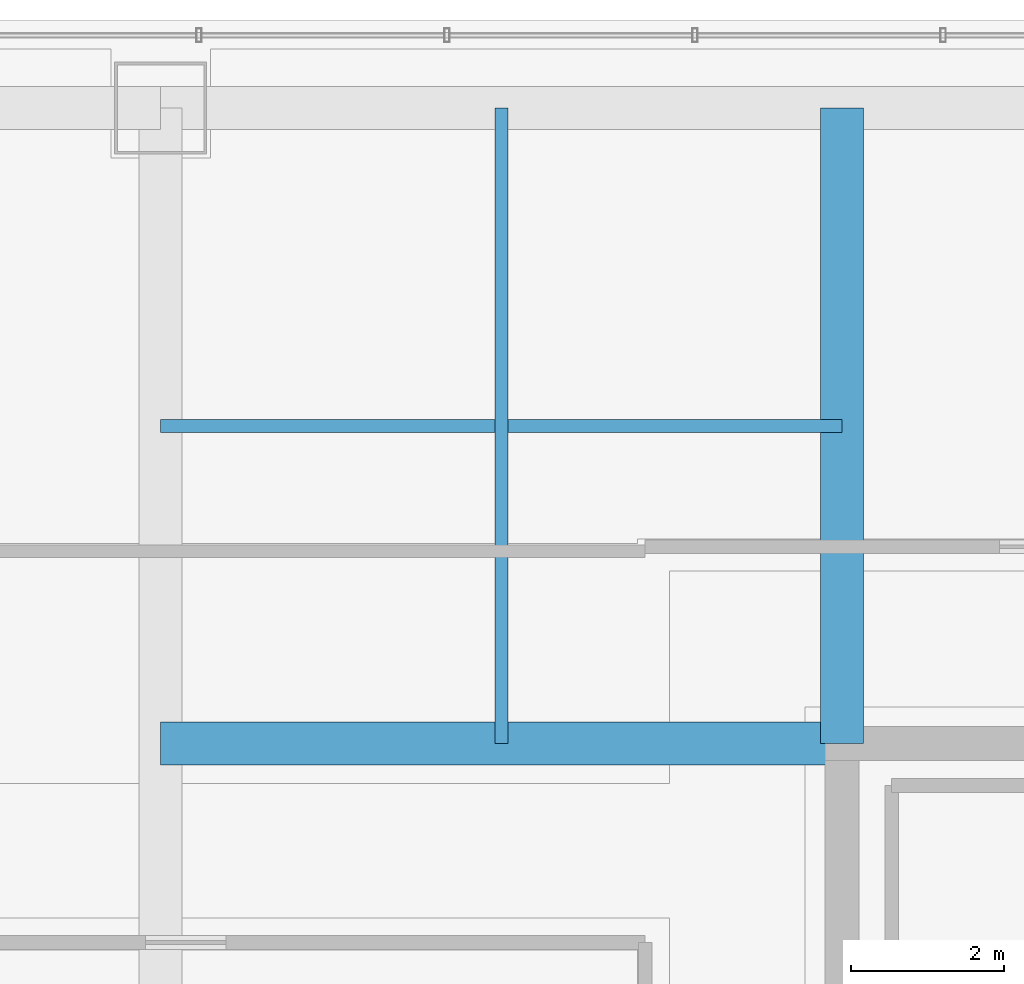
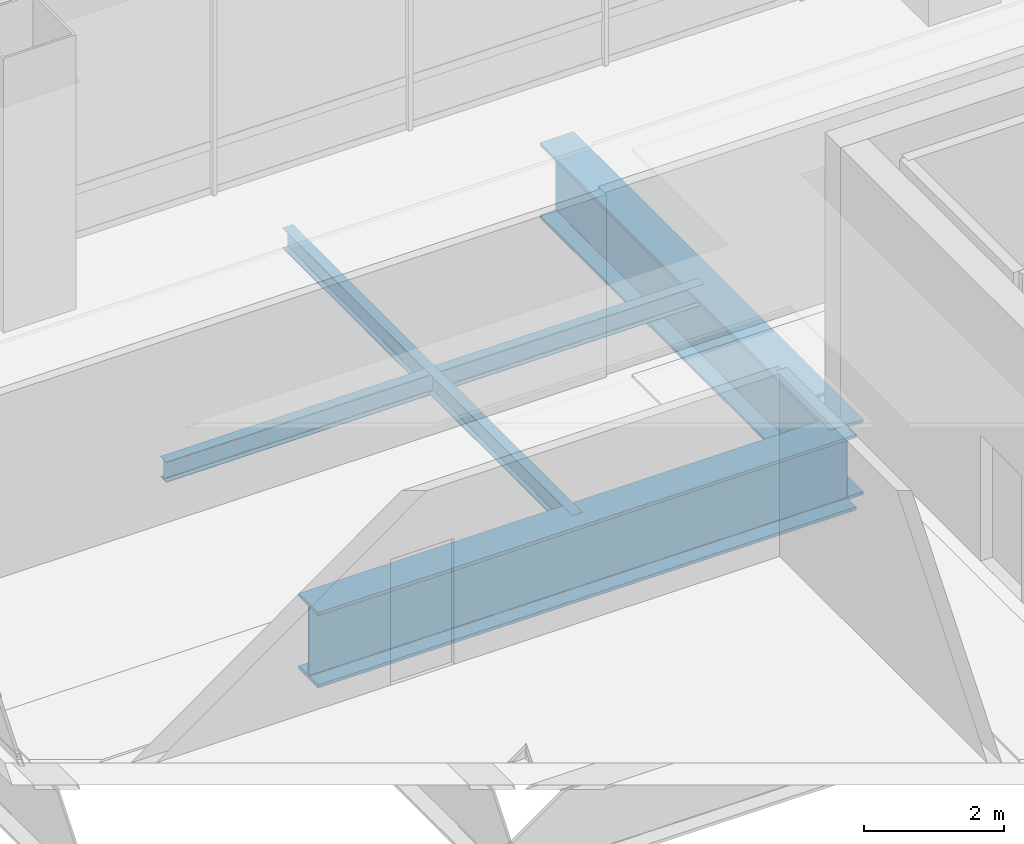
# One storey, part 24 of 45: 4 beams.
"""IFC4 building model written with IfcOpenShell, lengths in metres."""

from ifc_helpers import new_model, si_unit, direction, frame, origin, origin_2d, place, context, subcontext, project, spatial, i_section, extrude, material, material_profile, profile_set, type_object, element, save


model = new_model("IFC4")

# Units and contexts
model_context = context("Model", 3, precision=1e-05, world=origin(), true_north=direction((0.0, 1.0)))
body_context = subcontext(model_context, "Body", "Model", "MODEL_VIEW")
ifc_project = project(units=[si_unit("LENGTHUNIT", "METRE"), si_unit("AREAUNIT", "SQUARE_METRE"), si_unit("VOLUMEUNIT", "CUBIC_METRE"), si_unit("PLANEANGLEUNIT", "RADIAN"), si_unit("MASSUNIT", "GRAM", prefix="KILO")], contexts=[model_context])

# Site, building, storey
site_placement = place(None, origin())
site = spatial("IfcSite", under=ifc_project, at=site_placement, CompositionType="ELEMENT")
building_placement = place(site_placement, origin())
building = spatial("IfcBuilding", under=site, at=building_placement, Name="Punatoya Terracotta Tower", CompositionType="ELEMENT")
storey_placement = place(building_placement, frame((0.0, 0.0, 339.0)))
storey = spatial("IfcBuildingStorey", under=building, at=storey_placement, Name="L80", CompositionType="ELEMENT", Elevation=339.0)

# Beams
ifc_material_1 = material(Name="Steel S355", Category="steel")
ifc_material_profile_1 = material_profile(ifc_material_1, i_section(OverallWidth=0.169921875, OverallDepth=0.360107421875, WebThickness=0.008056640625, FlangeThickness=0.0126953125, FilletRadius=0.01806640625, at=origin_2d()))
ifc_profile_set_1 = profile_set([ifc_material_profile_1], Name="Steel S355")
beam_type_1 = type_object("IfcBeamType", Name="BM-SEC-360", PredefinedType="JOIST", material=ifc_profile_set_1)
beam_1_placement = place(storey_placement, frame((-19.10009765625, 13.35009765625, -0.43994140625), z_axis=(1.0, 0.0, 0.0), x_axis=(0.0, 1.0, 0.0)))
element("IfcBeam", 1, at=beam_1_placement, inside=storey, type_object=beam_type_1, Name="BM-L80-SJN-1", PredefinedType="JOIST", context=body_context, shape_type="SweptSolid", body=[
    extrude(i_section(OverallWidth=0.169921875, OverallDepth=0.360107421875, WebThickness=0.008056640625, FlangeThickness=0.0126953125, FilletRadius=0.01806640625, at=origin_2d()), origin(), (0.0, 0.0, 1.0), 8.900146484375),
])
beam_2_placement = place(storey_placement, frame((-14.64990234375, 9.199951171875, -0.43994140625), z_axis=(0.0, 1.0, 0.0), x_axis=(-1.0, 0.0, 0.0)))
element("IfcBeam", 2, at=beam_2_placement, inside=storey, type_object=beam_type_1, Name="BM-L80-SJW-2", PredefinedType="JOIST", context=body_context, shape_type="SweptSolid", body=[
    extrude(i_section(OverallWidth=0.169921875, OverallDepth=0.360107421875, WebThickness=0.008056640625, FlangeThickness=0.0126953125, FilletRadius=0.01806640625, at=origin_2d()), origin(), (0.0, 0.0, 1.0), 8.300048828125),
])
ifc_material_2 = material(Name="Steel S460", Category="steel")
ifc_material_profile_2 = material_profile(ifc_material_2, i_section(OverallWidth=0.56005859375, OverallDepth=1.320068359375, WebThickness=0.035888671875, FlangeThickness=0.054931640625, FilletRadius=0.01806640625, at=origin_2d()))
ifc_profile_set_2 = profile_set([ifc_material_profile_2], Name="Steel S460")
beam_type_2 = type_object("IfcBeamType", Name="BM-TG-BLK", PredefinedType="BEAM", material=ifc_profile_set_2)
beam_3_placement = place(storey_placement, frame((-19.10009765625, 9.199951171875, -0.919921875), z_axis=(1.0, 0.0, 0.0), x_axis=(0.0, 1.0, 0.0)))
element("IfcBeam", 3, at=beam_3_placement, inside=storey, type_object=beam_type_2, Name="BM-L80-PR-WN", PredefinedType="BEAM", context=body_context, shape_type="SweptSolid", body=[
    extrude(i_section(OverallWidth=0.56005859375, OverallDepth=1.320068359375, WebThickness=0.035888671875, FlangeThickness=0.054931640625, FilletRadius=0.01806640625, at=origin_2d()), origin(), (0.0, 0.0, 1.0), 8.900146484375),
])
beam_4_placement = place(storey_placement, frame((-10.199951171875, 9.199951171875, -0.919921875), z_axis=(0.0, 1.0, 0.0), x_axis=(-1.0, 0.0, 0.0)))
element("IfcBeam", 4, at=beam_4_placement, inside=storey, type_object=beam_type_2, Name="BM-L80-PR-N1", PredefinedType="BEAM", context=body_context, shape_type="SweptSolid", body=[
    extrude(i_section(OverallWidth=0.56005859375, OverallDepth=1.320068359375, WebThickness=0.035888671875, FlangeThickness=0.054931640625, FilletRadius=0.01806640625, at=origin_2d()), origin(), (0.0, 0.0, 1.0), 8.300048828125),
])

save(model, "model.ifc")
